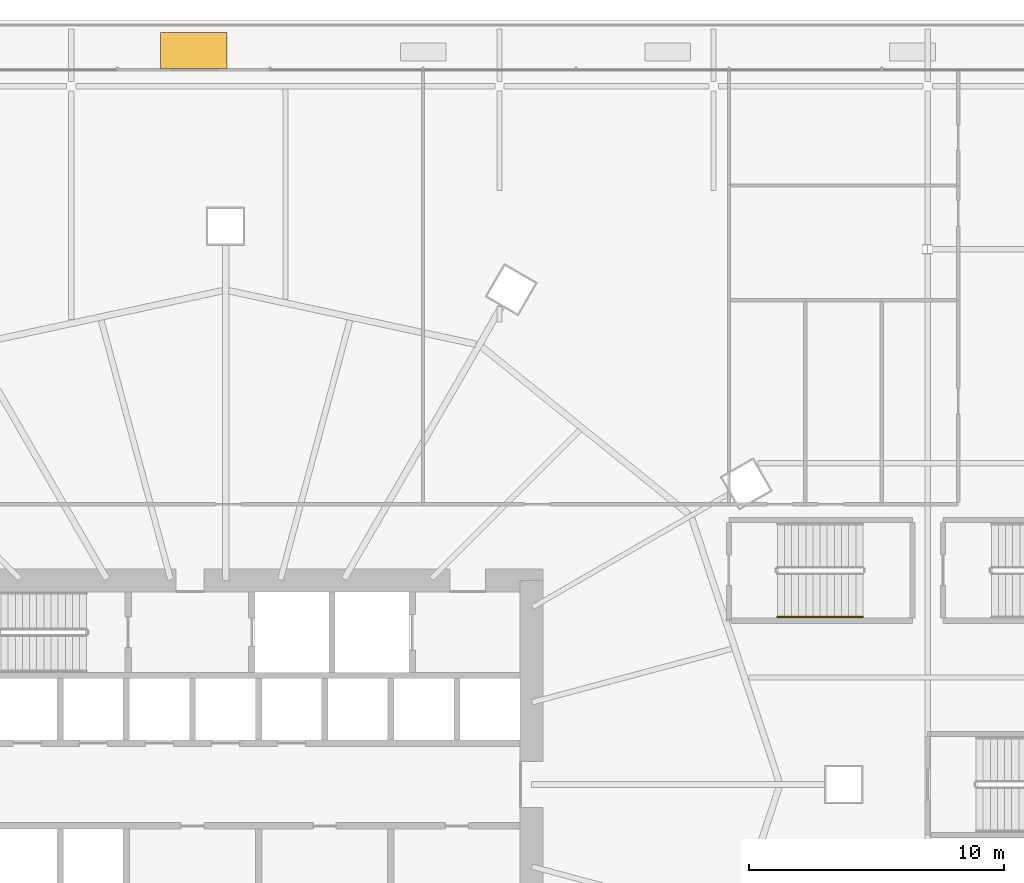
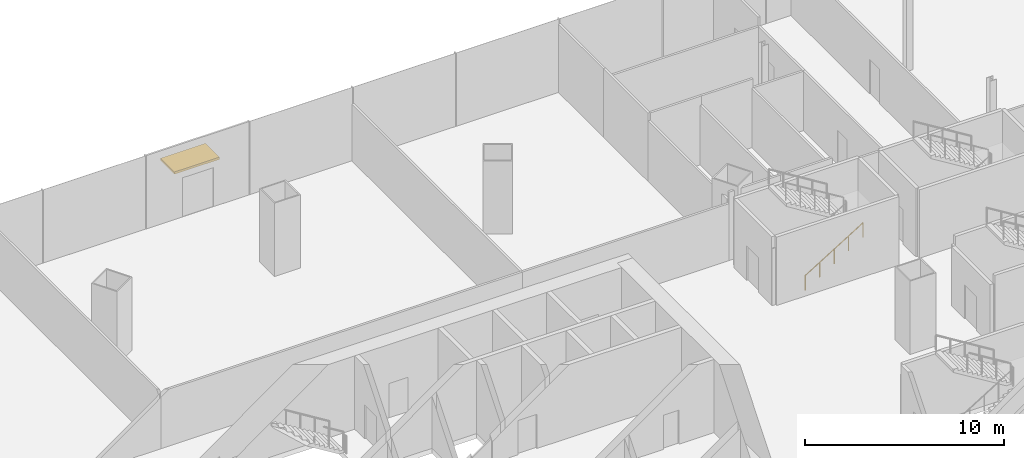
# One storey, part 46 of 52: 1 railing, 1 shading device.
"""IFC4 building model written with IfcOpenShell, lengths in metres."""

from ifc_helpers import new_model, si_unit, direction, frame, origin, origin_2d, place, context, subcontext, project, spatial, rectangle, circle, extrude, material, layer, layer_set, type_object, element, save


model = new_model("IFC4")

# Units and contexts
model_context = context("Model", 3, precision=1e-05, world=origin(), true_north=direction((0.0, 1.0)))
body_context = subcontext(model_context, "Body", "Model", "MODEL_VIEW")
ifc_project = project(units=[si_unit("LENGTHUNIT", "METRE"), si_unit("AREAUNIT", "SQUARE_METRE"), si_unit("VOLUMEUNIT", "CUBIC_METRE"), si_unit("PLANEANGLEUNIT", "RADIAN"), si_unit("MASSUNIT", "GRAM", prefix="KILO")], contexts=[model_context])

# Site, building, storey
site_placement = place(None, origin())
site = spatial("IfcSite", under=ifc_project, at=site_placement, CompositionType="ELEMENT")
building_placement = place(site_placement, origin())
building = spatial("IfcBuilding", under=site, at=building_placement, Name="Rimbun Link Towers", CompositionType="ELEMENT")
storey_placement = place(building_placement, frame((0.0, 0.0, 21.0)))
storey = spatial("IfcBuildingStorey", under=building, at=storey_placement, Name="L04", CompositionType="ELEMENT", Elevation=21.0)

# Shading device
ifc_material_1 = material(Name="Aluminium 6063-T6 louvre blades in a powder-coated aluminium frame", Category="aluminium")
ifc_layer = layer(ifc_material_1, 0.139892578125)
ifc_layer_set = layer_set([ifc_layer], Name="RAIN CANOPY louvre blades 2600X1400")
shading_device_type = type_object("IfcShadingDeviceType", Name="RAIN CANOPY louvre blades 2600X1400", PredefinedType="AWNING", material=ifc_layer_set)
shading_device_placement = place(storey_placement, frame((-33.0, 28.800048828125, 2.7001953125), z_axis=(0.0, 0.0, 1.0), x_axis=(1.0, 0.0, 0.0)))
element("IfcShadingDevice", 1, at=shading_device_placement, inside=storey, type_object=shading_device_type, Name="RAIN CANOPY over terrace door", PredefinedType="AWNING", context=body_context, shape_type="SweptSolid", body=[
    extrude(rectangle(XDim=2.60009765625, YDim=1.39990234375, at=origin_2d()), origin(), (0.0, 0.0, 1.0), 0.139892578125),
])

# Railing
ifc_material_2 = material(Name="Stainless steel grade 316", Category="steel")
railing_type = type_object("IfcRailingType", Name="Stair handrail", PredefinedType="HANDRAIL", material=ifc_material_2)
railing_placement = place(storey_placement, frame((-10.10009765625, 6.574951171875, 0.173095703125)))
element("IfcRailing", 2, at=railing_placement, inside=storey, type_object=railing_type, Name="L04 PS3 stair handrail 1", PredefinedType="HANDRAIL", context=body_context, shape_type="SweptSolid", body=[
    extrude(circle(Radius=0.02392578125, at=origin_2d()), frame((0.0, 0.0, 0.8759765625), z_axis=(0.850623216509, 0.0, 0.525775754039), x_axis=(0.0, 1.0, 0.0)), (0.0, 0.0, 1.0), 3.9501953125),
    extrude(circle(Radius=0.02099609375, at=origin_2d()), origin(), (0.0, 0.0, 1.0), 0.851806640625),
    extrude(circle(Radius=0.02099609375, at=origin_2d()), frame((0.840087890625, 0.0, 0.519287109375)), (0.0, 0.0, 1.0), 0.851806640625),
    extrude(circle(Radius=0.02099609375, at=origin_2d()), frame((1.68017578125, 0.0, 1.03857421875)), (0.0, 0.0, 1.0), 0.851806640625),
    extrude(circle(Radius=0.02099609375, at=origin_2d()), frame((2.52001953125, 0.0, 1.5576171875)), (0.0, 0.0, 1.0), 0.851806640625),
    extrude(circle(Radius=0.02099609375, at=origin_2d()), frame((3.360107421875, 0.0, 2.076904296875)), (0.0, 0.0, 1.0), 0.851806640625),
])

save(model, "model.ifc")
